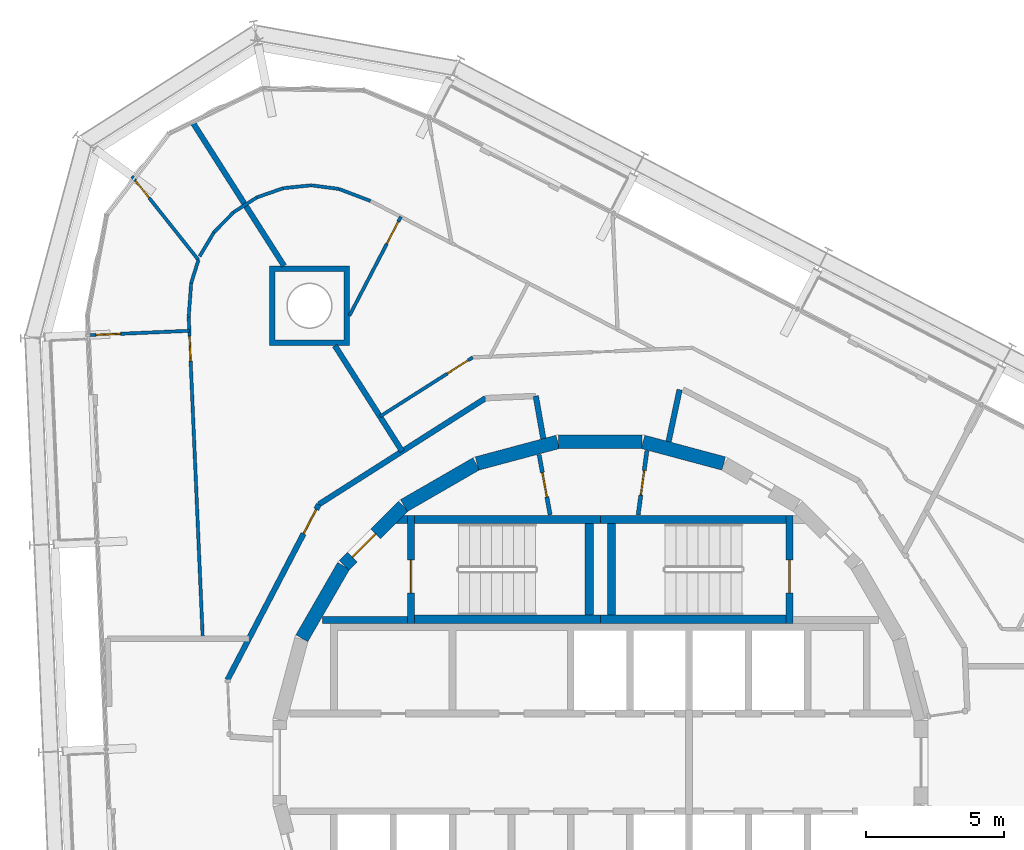
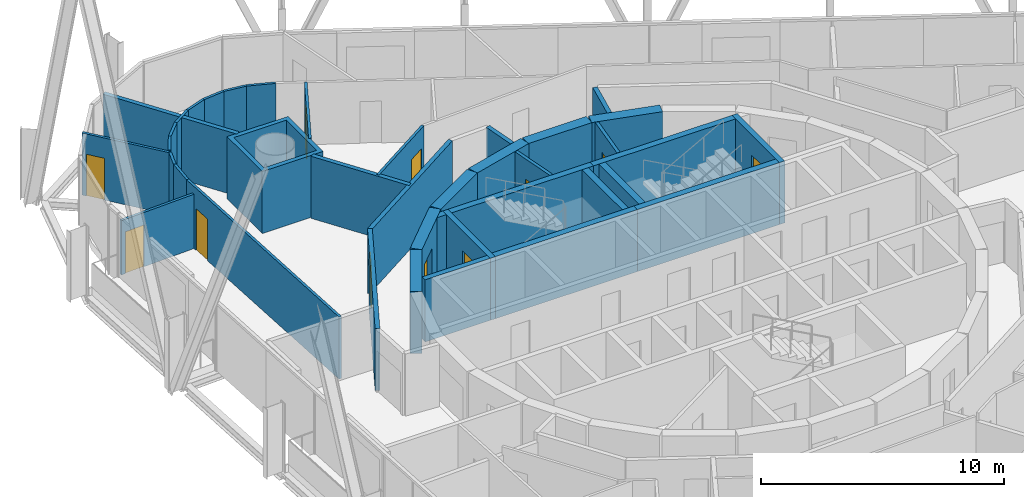
# One storey, part 15 of 18: 39 walls, 11 doors, 11 openings.
"""IFC4 building model written with IfcOpenShell, lengths in metres."""

from ifc_helpers import new_model, si_unit, direction, frame, frame_2d, origin, place, context, subcontext, project, spatial, polyline, rectangle, outline, extrude, material, layer, layer_set, type_object, element, fill, save


model = new_model("IFC4")

# Units and contexts
model_context = context("Model", 3, precision=1e-05, world=origin(), true_north=direction((0.0, 1.0)))
body_context = subcontext(model_context, "Body", "Model", "MODEL_VIEW")
ifc_project = project(units=[si_unit("LENGTHUNIT", "METRE"), si_unit("AREAUNIT", "SQUARE_METRE"), si_unit("VOLUMEUNIT", "CUBIC_METRE"), si_unit("PLANEANGLEUNIT", "RADIAN"), si_unit("MASSUNIT", "GRAM", prefix="KILO")], contexts=[model_context])

# Site, building, storey
site_placement = place(None, origin())
site = spatial("IfcSite", under=ifc_project, at=site_placement, CompositionType="ELEMENT")
building_placement = place(site_placement, origin())
building = spatial("IfcBuilding", under=site, at=building_placement, Name="Spindle Arch Residences", CompositionType="ELEMENT")
storey_placement = place(building_placement, frame((0.0, 0.0, 240.699951171875)))
storey = spatial("IfcBuildingStorey", under=building, at=storey_placement, Name="L61", CompositionType="ELEMENT", Elevation=240.699951171875)

# Walls
ifc_material_1 = material(Name="Concrete C50/60", Category="concrete")
ifc_layer_1 = layer(ifc_material_1, 0.5)
ifc_layer_set_1 = layer_set([ifc_layer_1], Name="Core outline wall 500")
wall_type_1 = type_object("IfcWallType", Name="Core outline wall 500", PredefinedType="SHEAR", material=ifc_layer_set_1)
for number, where, z_axis, x_axis, name in (
    (1, (4.479248046875, 10.858154296875, 0.0), (0.0, 0.0, 1.0), (-0.965948410781, 0.258734743916, 0.0), "Core outline wall 11"),
    (2, (1.516357421875, 11.647216796875, 0.0), (0.0, 0.0, 1.0), (-1.0, 0.0, 0.0), "Core outline wall 12"),
    (3, (-1.5498046875, 11.642822265625, 0.0), (0.0, 0.0, 1.0), (-0.965948410781, -0.258734743916, 0.0), "Core outline wall 13"),
    (4, (-4.510498046875, 10.84521484375, 0.0), (0.0, 0.0, 1.0), (-0.865975092491, -0.500087131594, 0.0), "Core outline wall 14"),
):
    element("IfcWall", number, at=place(storey_placement, frame(where, z_axis=z_axis, x_axis=x_axis)), inside=storey, type_object=wall_type_1, Name=name, PredefinedType="SHEAR", context=body_context, shape_type="SweptSolid", body=[
        extrude(rectangle(XDim=3.03271484375, YDim=0.5, at=frame_2d((1.516357421875, 0.0))), origin(), (0.0, 0.0, 1.0), 3.1201171875),
    ])

# Wall, opening, door
wall_1_placement = place(storey_placement, frame((-7.163818359375, 9.30810546875, 0.0), z_axis=(0.0, 0.0, 1.0), x_axis=(-0.707106781187, -0.707106781187, 0.0)))
wall_1 = element("IfcWall", 5, at=wall_1_placement, inside=storey, type_object=wall_type_1, Name="Core outline wall 15", PredefinedType="SHEAR", context=body_context, shape_type="SweptSolid", body=[
    extrude(rectangle(XDim=3.032470703125, YDim=0.5, at=frame_2d((1.51611328125, 0.0))), origin(), (0.0, 0.0, 1.0), 3.1201171875),
])
opening_1_placement = place(wall_1_placement, frame((1.416259765625, 0.0, 0.0)))
opening_1 = element("IfcOpeningElement", 6, at=opening_1_placement, cuts=wall_1, Name="Opening R6B0-AD02", PredefinedType="OPENING", context=body_context, shape_type="SweptSolid", body=[
    extrude(rectangle(XDim=1.199951171875, YDim=2.10009765625, at=frame_2d((0.60009765625, 1.050048828125))), frame((0.0, 0.260009765625, 0.0), z_axis=(0.0, -1.0, 0.0), x_axis=(1.0, 0.0, 0.0)), (0.0, 0.0, 1.0), 0.52001953125),
])
ifc_material_2 = material(Name="Steel, fire-resisting door", Category="steel")
door_type_1 = type_object("IfcDoorType", Name="Stair airlock door 1200x2100", OperationType="SINGLE_SWING_LEFT", PredefinedType="DOOR", material=ifc_material_2)
door_1_placement = place(opening_1_placement, origin())
door_1 = element("IfcDoor", 7, at=door_1_placement, inside=storey, type_object=door_type_1, Name="Stair airlock door R6B0-AD02", OperationType="SINGLE_SWING_RIGHT", OverallHeight=2.10009765625, OverallWidth=1.199951171875, PredefinedType="DOOR", context=body_context, shape_type="SweptSolid", body=[
    extrude(rectangle(XDim=1.199951171875, YDim=2.10009765625, at=frame_2d((0.60009765625, 1.050048828125))), frame((0.0, 0.02490234375, 0.0), z_axis=(0.0, -1.0, 0.0), x_axis=(1.0, 0.0, 0.0)), (0.0, 0.0, 1.0), 0.050048828125),
])
fill(opening_1, door_1)

# Walls
wall_2_placement = place(storey_placement, frame((-9.32861328125, 7.13671875, 0.0), z_axis=(0.0, 0.0, 1.0), x_axis=(-0.500087131594, -0.865975092491, 0.0)))
element("IfcWall", 8, at=wall_2_placement, inside=storey, type_object=wall_type_1, Name="Core outline wall 16", PredefinedType="SHEAR", context=body_context, shape_type="SweptSolid", body=[
    extrude(rectangle(XDim=3.03271484375, YDim=0.5, at=frame_2d((1.516357421875, 0.0))), origin(), (0.0, 0.0, 1.0), 3.1201171875),
])
ifc_material_3 = material(Name="Calcium silicate block, plastered")
ifc_layer_2 = layer(ifc_material_3, 0.199951171875)
ifc_layer_set_2 = layer_set([ifc_layer_2], Name="Corridor wall 200")
wall_type_2 = type_object("IfcWallType", Name="Corridor wall 200", PredefinedType="STANDARD", material=ifc_layer_set_2)
wall_3_placement = place(storey_placement, frame((2.877685546875, 13.538330078125, 0.0), z_axis=(0.0, 0.0, 1.0), x_axis=(-0.207893604596, -0.978151444904, 0.0)))
element("IfcWall", 9, at=wall_3_placement, inside=storey, type_object=wall_type_2, Name="Corridor wall R6B0-W006", PredefinedType="STANDARD", context=body_context, shape_type="SweptSolid", body=[
    extrude(rectangle(XDim=1.927001953125, YDim=0.199951171875, at=frame_2d((0.96337890625, 0.0))), origin(), (0.0, 0.0, 1.0), 3.1201171875),
])
wall_4_placement = place(storey_placement, frame((-2.07373046875, 11.76123046875, 0.0), z_axis=(0.0, 0.0, 1.0), x_axis=(-0.173679082312, 0.984802303189, 0.0)))
element("IfcWall", 10, at=wall_4_placement, inside=storey, type_object=wall_type_2, Name="Corridor wall R6B0-W010", PredefinedType="STANDARD", context=body_context, shape_type="SweptSolid", body=[
    extrude(rectangle(XDim=1.572998046875, YDim=0.199951171875, at=frame_2d((0.78662109375, 0.0))), origin(), (0.0, 0.0, 1.0), 3.1201171875),
])
wall_5_placement = place(storey_placement, frame((-4.171630859375, 13.230712890625, 0.0), z_axis=(0.0, 0.0, 1.0), x_axis=(-0.843388394728, -0.537304397561, 0.0)))
element("IfcWall", 11, at=wall_5_placement, inside=storey, type_object=wall_type_2, Name="Corridor wall R6B0-W012", PredefinedType="STANDARD", context=body_context, shape_type="SweptSolid", body=[
    extrude(rectangle(XDim=7.180908203125, YDim=0.199951171875, at=frame_2d((3.59033203125, 0.0))), origin(), (0.0, 0.0, 1.0), 3.1201171875),
])

# Wall, opening, door
ifc_material_4 = material(Name="Plasterboard on steel studs", Category="steel")
ifc_layer_3 = layer(ifc_material_4, 0.1201171875)
ifc_layer_set_3 = layer_set([ifc_layer_3], Name="Flat partition 120")
wall_type_3 = type_object("IfcWallType", Name="Flat partition 120", PredefinedType="PARTITIONING", material=ifc_layer_set_3)
wall_6_placement = place(storey_placement, frame((-4.638671875, 14.711669921875, 0.0), z_axis=(0.0, 0.0, 1.0), x_axis=(-0.843376843237, -0.537322529113, 0.0)))
wall_6 = element("IfcWall", 12, at=wall_6_placement, inside=storey, type_object=wall_type_3, Name="Flat partition R6B0-W054", PredefinedType="PARTITIONING", context=body_context, shape_type="SweptSolid", body=[
    extrude(rectangle(XDim=3.992431640625, YDim=0.1201171875, at=frame_2d((1.99609375, 0.0))), origin(), (0.0, 0.0, 1.0), 3.1201171875),
])
opening_2_placement = place(wall_6_placement, frame((0.199951171875, 0.0, 0.0)))
opening_2 = element("IfcOpeningElement", 13, at=opening_2_placement, cuts=wall_6, Name="Opening R6B0-ID07", PredefinedType="OPENING", context=body_context, shape_type="SweptSolid", body=[
    extrude(rectangle(XDim=0.89990234375, YDim=2.10009765625, at=frame_2d((0.449951171875, 1.050048828125))), frame((0.0, 0.070068359375, 0.0), z_axis=(0.0, -1.0, 0.0), x_axis=(1.0, 0.0, 0.0)), (0.0, 0.0, 1.0), 0.14013671875),
])
ifc_material_5 = material(Name="Timber door set", Category="wood")
door_type_2 = type_object("IfcDoorType", Name="Room door 900x2100", OperationType="NOTDEFINED", PredefinedType="DOOR", material=ifc_material_5)
door_2_placement = place(opening_2_placement, origin())
door_2 = element("IfcDoor", 14, at=door_2_placement, inside=storey, type_object=door_type_2, Name="Room door R6B0-ID07", OperationType="SINGLE_SWING_RIGHT", OverallHeight=2.10009765625, OverallWidth=0.89990234375, PredefinedType="DOOR", context=body_context, shape_type="SweptSolid", body=[
    extrude(rectangle(XDim=0.89990234375, YDim=2.10009765625, at=frame_2d((0.449951171875, 1.050048828125))), frame((0.0, 0.02490234375, 0.0), z_axis=(0.0, -1.0, 0.0), x_axis=(1.0, 0.0, 0.0)), (0.0, 0.0, 1.0), 0.050048828125),
])
fill(opening_2, door_2)

wall_7_placement = place(storey_placement, frame((-7.246826171875, 19.820068359375, 0.0), z_axis=(0.0, 0.0, 1.0), x_axis=(-0.461733980956, -0.887018450107, 0.0)))
wall_7 = element("IfcWall", 15, at=wall_7_placement, inside=storey, type_object=wall_type_3, Name="Flat partition R6B0-W059", PredefinedType="PARTITIONING", context=body_context, shape_type="SweptSolid", body=[
    extrude(rectangle(XDim=4.05224609375, YDim=0.1201171875, at=frame_2d((2.026123046875, 0.0))), origin(), (0.0, 0.0, 1.0), 3.1201171875),
])
opening_3_placement = place(wall_7_placement, frame((0.199951171875, 0.0, 0.0)))
opening_3 = element("IfcOpeningElement", 16, at=opening_3_placement, cuts=wall_7, Name="Opening R6B0-ID09", PredefinedType="OPENING", context=body_context, shape_type="SweptSolid", body=[
    extrude(rectangle(XDim=0.89990234375, YDim=2.10009765625, at=frame_2d((0.449951171875, 1.050048828125))), frame((0.0, 0.070068359375, 0.0), z_axis=(0.0, -1.0, 0.0), x_axis=(1.0, 0.0, 0.0)), (0.0, 0.0, 1.0), 0.14013671875),
])
door_3_placement = place(opening_3_placement, origin())
door_3 = element("IfcDoor", 17, at=door_3_placement, inside=storey, type_object=door_type_2, Name="Room door R6B0-ID09", OperationType="SINGLE_SWING_RIGHT", OverallHeight=2.10009765625, OverallWidth=0.89990234375, PredefinedType="DOOR", context=body_context, shape_type="SweptSolid", body=[
    extrude(rectangle(XDim=0.89990234375, YDim=2.10009765625, at=frame_2d((0.449951171875, 1.050048828125))), frame((0.0, 0.02490234375, 0.0), z_axis=(0.0, -1.0, 0.0), x_axis=(1.0, 0.0, 0.0)), (0.0, 0.0, 1.0), 0.050048828125),
])
fill(opening_3, door_3)

# Walls
for number, where, z_axis, x_axis, name in (
    (18, (-13.33154296875, 19.980712890625, 0.0), (0.0, 0.0, 1.0), (0.843404143432, 0.537279676557, 0.0), "Flat partition R6B0-W060"),
    (19, (-12.474609375, 20.526611328125, 0.0), (0.0, 0.0, 1.0), (0.944594007355, 0.32824101095, 0.0), "Flat partition R6B0-W061"),
):
    element("IfcWall", number, at=place(storey_placement, frame(where, z_axis=z_axis, x_axis=x_axis)), inside=storey, type_object=wall_type_3, Name=name, PredefinedType="PARTITIONING", context=body_context, shape_type="SweptSolid", body=[
        extrude(rectangle(XDim=1.01611328125, YDim=0.1201171875, at=frame_2d((0.508056640625, 0.0))), origin(), (0.0, 0.0, 1.0), 3.1201171875),
    ])
wall_8_placement = place(storey_placement, frame((-11.514892578125, 20.860107421875, 0.0), z_axis=(0.0, 0.0, 1.0), x_axis=(0.994818278641, 0.101669034034, 0.0)))
element("IfcWall", 20, at=wall_8_placement, inside=storey, type_object=wall_type_3, Name="Flat partition R6B0-W062", PredefinedType="PARTITIONING", context=body_context, shape_type="SweptSolid", body=[
    extrude(rectangle(XDim=1.015869140625, YDim=0.1201171875, at=frame_2d((0.5078125, 0.0))), origin(), (0.0, 0.0, 1.0), 3.1201171875),
])
wall_9_placement = place(storey_placement, frame((-10.50439453125, 20.96337890625, 0.0), z_axis=(0.0, 0.0, 1.0), x_axis=(0.991451023706, -0.13047937612, 0.0)))
element("IfcWall", 21, at=wall_9_placement, inside=storey, type_object=wall_type_3, Name="Flat partition R6B0-W063", PredefinedType="PARTITIONING", context=body_context, shape_type="SweptSolid", body=[
    extrude(rectangle(XDim=1.01611328125, YDim=0.1201171875, at=frame_2d((0.508056640625, 0.0))), origin(), (0.0, 0.0, 1.0), 3.1201171875),
])
wall_10_placement = place(storey_placement, frame((-9.4970703125, 20.830810546875, 0.0), z_axis=(0.0, 0.0, 1.0), x_axis=(0.934575963521, -0.355763641213, 0.0)))
element("IfcWall", 22, at=wall_10_placement, inside=storey, type_object=wall_type_3, Name="Flat partition R6B0-W064", PredefinedType="PARTITIONING", context=body_context, shape_type="SweptSolid", body=[
    extrude(rectangle(XDim=1.22705078125, YDim=0.1201171875, at=frame_2d((0.613525390625, 0.0))), origin(), (0.0, 0.0, 1.0), 3.1201171875),
])
for number, where, z_axis, x_axis, name in (
    (23, (-13.33154296875, 19.980712890625, 0.0), (0.0, 0.0, 1.0), (-0.69669736192, -0.717365169138, 0.0), "Flat partition R6B0-W065"),
    (24, (-14.039306640625, 19.251953125, 0.0), (0.0, 0.0, 1.0), (-0.512586118981, -0.858635819558, 0.0), "Flat partition R6B0-W066"),
):
    element("IfcWall", number, at=place(storey_placement, frame(where, z_axis=z_axis, x_axis=x_axis)), inside=storey, type_object=wall_type_3, Name=name, PredefinedType="PARTITIONING", context=body_context, shape_type="SweptSolid", body=[
        extrude(rectangle(XDim=1.015869140625, YDim=0.1201171875, at=frame_2d((0.5078125, 0.0))), origin(), (0.0, 0.0, 1.0), 3.1201171875),
    ])
wall_11_placement = place(storey_placement, frame((-14.600830078125, 18.250244140625, 0.0), z_axis=(0.0, 0.0, 1.0), x_axis=(-0.300706496876, -0.953716730867, 0.0)))
element("IfcWall", 25, at=wall_11_placement, inside=storey, type_object=wall_type_3, Name="Flat partition R6B0-W067", PredefinedType="PARTITIONING", context=body_context, shape_type="SweptSolid", body=[
    extrude(rectangle(XDim=0.880126953125, YDim=0.1201171875, at=frame_2d((0.43994140625, 0.0))), origin(), (0.0, 0.0, 1.0), 3.1201171875),
])
wall_12_placement = place(storey_placement, frame((-14.865478515625, 17.410888671875, 0.0), z_axis=(0.0, 0.0, 1.0), x_axis=(-0.072618457011, -0.997359794508, 0.0)))
element("IfcWall", 26, at=wall_12_placement, inside=storey, type_object=wall_type_3, Name="Flat partition R6B0-W068", PredefinedType="PARTITIONING", context=body_context, shape_type="SweptSolid", body=[
    extrude(rectangle(XDim=1.22705078125, YDim=0.1201171875, at=frame_2d((0.613525390625, 0.0))), origin(), (0.0, 0.0, 1.0), 3.1201171875),
])

# Wall, opening, door
wall_13_placement = place(storey_placement, frame((-14.95458984375, 16.18701171875, 0.0), z_axis=(0.0, 0.0, 1.0), x_axis=(0.04360777668, -0.999048728448, 0.0)))
wall_13 = element("IfcWall", 27, at=wall_13_placement, inside=storey, type_object=wall_type_3, Name="Flat partition R6B0-W069", PredefinedType="PARTITIONING", context=body_context, shape_type="SweptSolid", body=[
    extrude(rectangle(XDim=11.6787109375, YDim=0.1201171875, at=frame_2d((5.83935546875, 0.0))), origin(), (0.0, 0.0, 1.0), 3.1201171875),
])
opening_4_placement = place(wall_13_placement, frame((0.708740234375, 0.0, 0.0)))
opening_4 = element("IfcOpeningElement", 28, at=opening_4_placement, cuts=wall_13, Name="Opening R6B0-ID11", PredefinedType="OPENING", context=body_context, shape_type="SweptSolid", body=[
    extrude(rectangle(XDim=0.89990234375, YDim=2.10009765625, at=frame_2d((0.449951171875, 1.050048828125))), frame((0.0, 0.070068359375, 0.0), z_axis=(0.0, -1.0, 0.0), x_axis=(1.0, 0.0, 0.0)), (0.0, 0.0, 1.0), 0.14013671875),
])
door_4_placement = place(opening_4_placement, origin())
door_4 = element("IfcDoor", 29, at=door_4_placement, inside=storey, type_object=door_type_2, Name="Room door R6B0-ID11", OperationType="SINGLE_SWING_LEFT", OverallHeight=2.10009765625, OverallWidth=0.89990234375, PredefinedType="DOOR", context=body_context, shape_type="SweptSolid", body=[
    extrude(rectangle(XDim=0.89990234375, YDim=2.10009765625, at=frame_2d((0.449951171875, 1.050048828125))), frame((0.0, 0.02490234375, 0.0), z_axis=(0.0, -1.0, 0.0), x_axis=(1.0, 0.0, 0.0)), (0.0, 0.0, 1.0), 0.050048828125),
])
fill(opening_4, door_4)

wall_14_placement = place(storey_placement, frame((-17.015380859375, 21.2900390625, 0.0), z_axis=(0.0, 0.0, 1.0), x_axis=(0.621976289729, -0.783036075168, 0.0)))
wall_14 = element("IfcWall", 30, at=wall_14_placement, inside=storey, type_object=wall_type_3, Name="Flat partition R6B0-W070", PredefinedType="PARTITIONING", context=body_context, shape_type="SweptSolid", body=[
    extrude(rectangle(XDim=3.882080078125, YDim=0.1201171875, at=frame_2d((1.94091796875, 0.0))), origin(), (0.0, 0.0, 1.0), 3.1201171875),
])
opening_5_placement = place(wall_14_placement, frame((0.199951171875, 0.0, 0.0)))
opening_5 = element("IfcOpeningElement", 31, at=opening_5_placement, cuts=wall_14, Name="Opening R6B0-BD03", PredefinedType="OPENING", context=body_context, shape_type="SweptSolid", body=[
    extrude(rectangle(XDim=0.800048828125, YDim=2.10009765625, at=frame_2d((0.39990234375, 1.050048828125))), frame((0.0, 0.070068359375, 0.0), z_axis=(0.0, -1.0, 0.0), x_axis=(1.0, 0.0, 0.0)), (0.0, 0.0, 1.0), 0.14013671875),
])
ifc_material_6 = material(Name="Timber door set", Category="wood")
door_type_3 = type_object("IfcDoorType", Name="Bathroom door 800x2100", OperationType="NOTDEFINED", PredefinedType="DOOR", material=ifc_material_6)
door_5_placement = place(opening_5_placement, origin())
door_5 = element("IfcDoor", 32, at=door_5_placement, inside=storey, type_object=door_type_3, Name="Bathroom door R6B0-BD03", OperationType="SINGLE_SWING_LEFT", OverallHeight=2.10009765625, OverallWidth=0.800048828125, PredefinedType="DOOR", context=body_context, shape_type="SweptSolid", body=[
    extrude(rectangle(XDim=0.800048828125, YDim=2.10009765625, at=frame_2d((0.39990234375, 1.050048828125))), frame((0.0, 0.02490234375, 0.0), z_axis=(0.0, -1.0, 0.0), x_axis=(1.0, 0.0, 0.0)), (0.0, 0.0, 1.0), 0.050048828125),
])
fill(opening_5, door_5)

ifc_material_7 = material(Name="Plasterboard on steel studs", Category="steel")
ifc_layer_4 = layer(ifc_material_7, 0.1201171875)
ifc_layer_set_4 = layer_set([ifc_layer_4], Name="Flat partition 120 under beam 2730")
wall_type_4 = type_object("IfcWallType", Name="Flat partition 120 under beam 2730", PredefinedType="PARTITIONING", material=ifc_layer_set_4)
wall_15_placement = place(storey_placement, frame((-18.529052734375, 15.521728515625, 0.0), z_axis=(0.0, 0.0, 1.0), x_axis=(0.999048722018, 0.043607923987, 0.0)))
wall_15 = element("IfcWall", 33, at=wall_15_placement, inside=storey, type_object=wall_type_4, Name="Flat partition R6B0-W071", PredefinedType="PARTITIONING", context=body_context, shape_type="SweptSolid", body=[
    extrude(rectangle(XDim=3.599853515625, YDim=0.1201171875, at=frame_2d((1.7998046875, 0.0))), origin(), (0.0, 0.0, 1.0), 2.72998046875),
])
opening_6_placement = place(wall_15_placement, frame((0.199951171875, 0.0, 0.0)))
opening_6 = element("IfcOpeningElement", 34, at=opening_6_placement, cuts=wall_15, Name="Opening R6B0-ID12", PredefinedType="OPENING", context=body_context, shape_type="SweptSolid", body=[
    extrude(rectangle(XDim=0.89990234375, YDim=2.10009765625, at=frame_2d((0.449951171875, 1.050048828125))), frame((0.0, 0.070068359375, 0.0), z_axis=(0.0, -1.0, 0.0), x_axis=(1.0, 0.0, 0.0)), (0.0, 0.0, 1.0), 0.14013671875),
])
door_6_placement = place(opening_6_placement, origin())
door_6 = element("IfcDoor", 35, at=door_6_placement, inside=storey, type_object=door_type_2, Name="Room door R6B0-ID12", OperationType="SINGLE_SWING_LEFT", OverallHeight=2.10009765625, OverallWidth=0.89990234375, PredefinedType="DOOR", context=body_context, shape_type="SweptSolid", body=[
    extrude(rectangle(XDim=0.89990234375, YDim=2.10009765625, at=frame_2d((0.449951171875, 1.050048828125))), frame((0.0, 0.02490234375, 0.0), z_axis=(0.0, -1.0, 0.0), x_axis=(1.0, 0.0, 0.0)), (0.0, 0.0, 1.0), 0.050048828125),
])
fill(opening_6, door_6)

# Walls
ifc_material_8 = material(Name="Calcium silicate block, plastered")
ifc_layer_5 = layer(ifc_material_8, 0.199951171875)
ifc_layer_set_5 = layer_set([ifc_layer_5], Name="Flat party wall 200")
wall_type_5 = type_object("IfcWallType", Name="Flat party wall 200", PredefinedType="STANDARD", material=ifc_layer_set_5)
wall_16_placement = place(storey_placement, frame((-9.64501953125, 15.137939453125, 0.0), z_axis=(0.0, 0.0, 1.0), x_axis=(0.537267800866, -0.84341170857, 0.0)))
element("IfcWall", 36, at=wall_16_placement, inside=storey, type_object=wall_type_5, Name="Flat party wall R6B0-W032", PredefinedType="STANDARD", context=body_context, shape_type="SweptSolid", body=[
    extrude(rectangle(XDim=4.549560546875, YDim=0.199951171875, at=frame_2d((2.27490234375, 0.0))), origin(), (0.0, 0.0, 1.0), 3.1201171875),
])
wall_17_placement = place(storey_placement, frame((-14.83740234375, 23.289794921875, 0.0), z_axis=(0.0, 0.0, 1.0), x_axis=(0.537316863221, -0.843380452998, 0.0)))
element("IfcWall", 37, at=wall_17_placement, inside=storey, type_object=wall_type_5, Name="Flat party wall R6B0-W033", PredefinedType="STANDARD", context=body_context, shape_type="SweptSolid", body=[
    extrude(rectangle(XDim=6.226806640625, YDim=0.199951171875, at=frame_2d((3.11328125, 0.0))), origin(), (0.0, 0.0, 1.0), 3.1201171875),
])

# Wall, opening, door
ifc_material_9 = material(Name="Calcium silicate block, plastered")
ifc_layer_6 = layer(ifc_material_9, 0.199951171875)
ifc_layer_set_6 = layer_set([ifc_layer_6], Name="Lift lobby bay wall 200")
wall_type_6 = type_object("IfcWallType", Name="Lift lobby bay wall 200", PredefinedType="STANDARD", material=ifc_layer_set_6)
wall_18_placement = place(storey_placement, frame((-10.22802734375, 9.372314453125, 0.0), z_axis=(0.0, 0.0, 1.0), x_axis=(-0.461759464021, -0.887005184532, 0.0)))
wall_18 = element("IfcWall", 38, at=wall_18_placement, inside=storey, type_object=wall_type_6, Name="Lift lobby bay wall R6B0-W007", PredefinedType="STANDARD", context=body_context, shape_type="SweptSolid", body=[
    extrude(rectangle(XDim=7.18115234375, YDim=0.199951171875, at=frame_2d((3.590576171875, 0.0))), origin(), (0.0, 0.0, 1.0), 3.1201171875),
])
opening_7_placement = place(wall_18_placement, frame((0.199951171875, 0.0, 0.0)))
opening_7 = element("IfcOpeningElement", 39, at=opening_7_placement, cuts=wall_18, Name="Opening R6B0-FD03", PredefinedType="OPENING", context=body_context, shape_type="SweptSolid", body=[
    extrude(rectangle(XDim=1.0, YDim=2.10009765625, at=frame_2d((0.5, 1.050048828125))), frame((0.0, 0.10986328125, 0.0), z_axis=(0.0, -1.0, 0.0), x_axis=(1.0, 0.0, 0.0)), (0.0, 0.0, 1.0), 0.219970703125),
])
ifc_material_10 = material(Name="Timber, fire-resisting door set", Category="wood")
door_type_4 = type_object("IfcDoorType", Name="Flat entrance door 1000x2100", OperationType="NOTDEFINED", PredefinedType="DOOR", material=ifc_material_10)
door_7_placement = place(opening_7_placement, origin())
door_7 = element("IfcDoor", 40, at=door_7_placement, inside=storey, type_object=door_type_4, Name="Flat entrance door R6B0-FD03", OperationType="SINGLE_SWING_LEFT", OverallHeight=2.10009765625, OverallWidth=1.0, PredefinedType="DOOR", context=body_context, shape_type="SweptSolid", body=[
    extrude(rectangle(XDim=1.0, YDim=2.10009765625, at=frame_2d((0.5, 1.050048828125))), frame((0.0, 0.02490234375, 0.0), z_axis=(0.0, -1.0, 0.0), x_axis=(1.0, 0.0, 0.0)), (0.0, 0.0, 1.0), 0.050048828125),
])
fill(opening_7, door_7)

# Wall
ifc_material_11 = material(Name="Calcium silicate block, plastered")
ifc_layer_7 = layer(ifc_material_11, 0.199951171875)
ifc_layer_set_7 = layer_set([ifc_layer_7], Name="Mega-column casing wall 200")
wall_type_7 = type_object("IfcWallType", Name="Mega-column casing wall 200", PredefinedType="STANDARD", material=ifc_layer_set_7)
wall_19_placement = place(storey_placement, origin())
element("IfcWall", 41, at=wall_19_placement, inside=storey, type_object=wall_type_7, Name="Mega-column casing wall R6B0-WC02", PredefinedType="STANDARD", context=body_context, shape_type="SweptSolid", body=[
    extrude(outline(polyline([(-9.117919921875, 18.038330078125), (-9.117919921875, 15.138427734375), (-12.01806640625, 15.138427734375), (-12.01806640625, 18.038330078125), (-9.117919921875, 18.038330078125)]), holes=[polyline([(-11.818115234375, 15.33837890625), (-9.318115234375, 15.33837890625), (-9.318115234375, 17.83837890625), (-11.818115234375, 17.83837890625), (-11.818115234375, 15.33837890625)])]), origin(), (0.0, 0.0, 1.0), 3.1201171875),
])

# Wall, opening, door
ifc_material_12 = material(Name="Concrete C25/30", Category="concrete")
ifc_layer_8 = layer(ifc_material_12, 0.14990234375)
ifc_layer_set_8 = layer_set([ifc_layer_8], Name="Service room partition 150")
wall_type_8 = type_object("IfcWallType", Name="Service room partition 150", PredefinedType="PARTITIONING", material=ifc_layer_set_8)
wall_20_placement = place(storey_placement, frame((1.69091796875, 11.32568359375, 0.0), z_axis=(0.0, 0.0, 1.0), x_axis=(-0.135344253201, -0.990798633994, 0.0)))
wall_20 = element("IfcWall", 42, at=wall_20_placement, inside=storey, type_object=wall_type_8, Name="Core service room partition", PredefinedType="PARTITIONING", context=body_context, shape_type="SweptSolid", body=[
    extrude(rectangle(XDim=2.357666015625, YDim=0.14990234375, at=frame_2d((1.1787109375, 0.0))), origin(), (0.0, 0.0, 1.0), 3.1201171875),
])
opening_8_placement = place(wall_20_placement, frame((0.728759765625, 0.0, 0.0)))
opening_8 = element("IfcOpeningElement", 43, at=opening_8_placement, cuts=wall_20, Name="Opening R6B0-WD08", PredefinedType="OPENING", context=body_context, shape_type="SweptSolid", body=[
    extrude(rectangle(XDim=0.89990234375, YDim=2.10009765625, at=frame_2d((0.449951171875, 1.050048828125))), frame((0.0, 0.0849609375, 0.0), z_axis=(0.0, -1.0, 0.0), x_axis=(1.0, 0.0, 0.0)), (0.0, 0.0, 1.0), 0.169921875),
])
ifc_material_13 = material(Name="Steel, fire-resisting door", Category="steel")
door_type_5 = type_object("IfcDoorType", Name="Service room door 900x2100", OperationType="SINGLE_SWING_LEFT", PredefinedType="DOOR", material=ifc_material_13)
door_8_placement = place(opening_8_placement, origin())
door_8 = element("IfcDoor", 44, at=door_8_placement, inside=storey, type_object=door_type_5, Name="Service room door R6B0-WD08", OperationType="SINGLE_SWING_RIGHT", OverallHeight=2.10009765625, OverallWidth=0.89990234375, PredefinedType="DOOR", context=body_context, shape_type="SweptSolid", body=[
    extrude(rectangle(XDim=0.89990234375, YDim=2.10009765625, at=frame_2d((0.449951171875, 1.050048828125))), frame((0.0, 0.02490234375, 0.0), z_axis=(0.0, -1.0, 0.0), x_axis=(1.0, 0.0, 0.0)), (0.0, 0.0, 1.0), 0.050048828125),
])
fill(opening_8, door_8)

wall_21_placement = place(storey_placement, frame((-1.824951171875, 8.98974609375, 0.0), z_axis=(0.0, 0.0, 1.0), x_axis=(-0.179955206115, 0.983674805915, 0.0)))
wall_21 = element("IfcWall", 45, at=wall_21_placement, inside=storey, type_object=wall_type_8, Name="Core service room partition", PredefinedType="PARTITIONING", context=body_context, shape_type="SweptSolid", body=[
    extrude(rectangle(XDim=2.22900390625, YDim=0.14990234375, at=frame_2d((1.114501953125, 0.0))), origin(), (0.0, 0.0, 1.0), 3.1201171875),
])
opening_9_placement = place(wall_21_placement, frame((0.66455078125, 0.0, 0.0)))
opening_9 = element("IfcOpeningElement", 46, at=opening_9_placement, cuts=wall_21, Name="Opening R6B0-WD09", PredefinedType="OPENING", context=body_context, shape_type="SweptSolid", body=[
    extrude(rectangle(XDim=0.89990234375, YDim=2.10009765625, at=frame_2d((0.449951171875, 1.050048828125))), frame((0.0, 0.0849609375, 0.0), z_axis=(0.0, -1.0, 0.0), x_axis=(1.0, 0.0, 0.0)), (0.0, 0.0, 1.0), 0.169921875),
])
door_9_placement = place(opening_9_placement, origin())
door_9 = element("IfcDoor", 47, at=door_9_placement, inside=storey, type_object=door_type_5, Name="Service room door R6B0-WD09", OperationType="SINGLE_SWING_LEFT", OverallHeight=2.10009765625, OverallWidth=0.89990234375, PredefinedType="DOOR", context=body_context, shape_type="SweptSolid", body=[
    extrude(rectangle(XDim=0.89990234375, YDim=2.10009765625, at=frame_2d((0.449951171875, 1.050048828125))), frame((0.0, 0.02490234375, 0.0), z_axis=(0.0, -1.0, 0.0), x_axis=(1.0, 0.0, 0.0)), (0.0, 0.0, 1.0), 0.050048828125),
])
fill(opening_9, door_9)

# Walls
ifc_material_14 = material(Name="Concrete C40/50", Category="concrete")
ifc_layer_9 = layer(ifc_material_14, 0.25)
ifc_layer_set_9 = layer_set([ifc_layer_9], Name="Stair airlock wall 250")
wall_type_9 = type_object("IfcWallType", Name="Stair airlock wall 250", PredefinedType="SHEAR", material=ifc_layer_set_9)
wall_22_placement = place(storey_placement, frame((-7.0, 5.175048828125, 0.0), z_axis=(0.0, 0.0, 1.0), x_axis=(-1.0, 0.0, 0.0)))
element("IfcWall", 48, at=wall_22_placement, inside=storey, type_object=wall_type_9, Name="Stair ST-2 airlock wall S", PredefinedType="SHEAR", context=body_context, shape_type="SweptSolid", body=[
    extrude(rectangle(XDim=3.10009765625, YDim=0.25, at=frame_2d((1.550048828125, 0.0))), origin(), (0.0, 0.0, 1.0), 3.1201171875),
])
ifc_material_15 = material(Name="Concrete C40/50", Category="concrete")
wall_type_10 = type_object("IfcWallType", Name="Stair airlock wall profile", PredefinedType="SHEAR", material=ifc_material_15)
wall_23_placement = place(storey_placement, origin())
element("IfcWall", 49, at=wall_23_placement, inside=storey, type_object=wall_type_10, Name="Stair ST-2 airlock wall N", PredefinedType="SHEAR", context=body_context, shape_type="SweptSolid", body=[
    extrude(outline(polyline([(-7.148193359375, 8.969970703125), (-7.0, 8.969970703125), (-7.0, 8.669921875), (-7.4482421875, 8.669921875), (-7.148193359375, 8.969970703125)])), origin(), (0.0, 0.0, 1.0), 3.1201171875),
])

# Wall, opening, door
ifc_material_16 = material(Name="Concrete C50/60", Category="concrete")
ifc_layer_10 = layer(ifc_material_16, 0.25)
ifc_layer_set_10 = layer_set([ifc_layer_10], Name="Stair enclosure wall 250")
wall_type_11 = type_object("IfcWallType", Name="Stair enclosure wall 250", PredefinedType="SHEAR", material=ifc_layer_set_10)
wall_24_placement = place(storey_placement, frame((6.875, 5.050048828125, 0.0), z_axis=(0.0, 0.0, 1.0), x_axis=(0.0, 1.0, 0.0)))
wall_24 = element("IfcWall", 50, at=wall_24_placement, inside=storey, type_object=wall_type_11, Name="Stair ST-1 door wall", PredefinedType="SHEAR", context=body_context, shape_type="SweptSolid", body=[
    extrude(rectangle(XDim=3.919921875, YDim=0.25, at=frame_2d((1.9599609375, 0.0))), origin(), (0.0, 0.0, 1.0), 3.1201171875),
])
opening_10_placement = place(wall_24_placement, frame((1.110107421875, 0.0, 0.0)))
opening_10 = element("IfcOpeningElement", 51, at=opening_10_placement, cuts=wall_24, Name="Opening R6B0-SD01", PredefinedType="OPENING", context=body_context, shape_type="SweptSolid", body=[
    extrude(rectangle(XDim=1.199951171875, YDim=2.10009765625, at=frame_2d((0.60009765625, 1.050048828125))), frame((0.0, 0.135009765625, 0.0), z_axis=(0.0, -1.0, 0.0), x_axis=(1.0, 0.0, 0.0)), (0.0, 0.0, 1.0), 0.27001953125),
])
ifc_material_17 = material(Name="Steel, fire-resisting door", Category="steel")
door_type_6 = type_object("IfcDoorType", Name="Stair door 1200x2100", OperationType="SINGLE_SWING_RIGHT", PredefinedType="DOOR", material=ifc_material_17)
door_10_placement = place(opening_10_placement, origin())
door_10 = element("IfcDoor", 52, at=door_10_placement, inside=storey, type_object=door_type_6, Name="Stair door R6B0-SD01", OperationType="SINGLE_SWING_LEFT", OverallHeight=2.10009765625, OverallWidth=1.199951171875, PredefinedType="DOOR", context=body_context, shape_type="SweptSolid", body=[
    extrude(rectangle(XDim=1.199951171875, YDim=2.10009765625, at=frame_2d((0.60009765625, 1.050048828125))), frame((0.0, 0.02490234375, 0.0), z_axis=(0.0, -1.0, 0.0), x_axis=(1.0, 0.0, 0.0)), (0.0, 0.0, 1.0), 0.050048828125),
])
fill(opening_10, door_10)

wall_25_placement = place(storey_placement, frame((-6.875, 8.969970703125, 0.0), z_axis=(0.0, 0.0, 1.0), x_axis=(0.0, -1.0, 0.0)))
wall_25 = element("IfcWall", 53, at=wall_25_placement, inside=storey, type_object=wall_type_11, Name="Stair ST-2 door wall", PredefinedType="SHEAR", context=body_context, shape_type="SweptSolid", body=[
    extrude(rectangle(XDim=3.919921875, YDim=0.25, at=frame_2d((1.9599609375, 0.0))), origin(), (0.0, 0.0, 1.0), 3.1201171875),
])
opening_11_placement = place(wall_25_placement, frame((1.610107421875, 0.0, 0.0)))
opening_11 = element("IfcOpeningElement", 54, at=opening_11_placement, cuts=wall_25, Name="Opening R6B0-SD02", PredefinedType="OPENING", context=body_context, shape_type="SweptSolid", body=[
    extrude(rectangle(XDim=1.199951171875, YDim=2.10009765625, at=frame_2d((0.60009765625, 1.050048828125))), frame((0.0, 0.135009765625, 0.0), z_axis=(0.0, -1.0, 0.0), x_axis=(1.0, 0.0, 0.0)), (0.0, 0.0, 1.0), 0.27001953125),
])
door_11_placement = place(opening_11_placement, origin())
door_11 = element("IfcDoor", 55, at=door_11_placement, inside=storey, type_object=door_type_6, Name="Stair door R6B0-SD02", OperationType="SINGLE_SWING_LEFT", OverallHeight=2.10009765625, OverallWidth=1.199951171875, PredefinedType="DOOR", context=body_context, shape_type="SweptSolid", body=[
    extrude(rectangle(XDim=1.199951171875, YDim=2.10009765625, at=frame_2d((0.60009765625, 1.050048828125))), frame((0.0, 0.02490234375, 0.0), z_axis=(0.0, -1.0, 0.0), x_axis=(1.0, 0.0, 0.0)), (0.0, 0.0, 1.0), 0.050048828125),
])
fill(opening_11, door_11)

# Walls
ifc_material_18 = material(Name="Concrete C50/60", Category="concrete")
ifc_layer_11 = layer(ifc_material_18, 0.300048828125)
ifc_layer_set_11 = layer_set([ifc_layer_11], Name="Stair enclosure wall 300")
wall_type_12 = type_object("IfcWallType", Name="Stair enclosure wall 300", PredefinedType="SHEAR", material=ifc_layer_set_11)
for number, where, z_axis, x_axis, name in (
    (56, (0.0, 5.199951171875, 0.0), (0.0, 0.0, 1.0), (1.0, 0.0, 0.0), "Stair ST-1 enclosure wall S"),
    (57, (0.0, 8.820068359375, 0.0), (0.0, 0.0, 1.0), (1.0, 0.0, 0.0), "Stair ST-1 enclosure wall N"),
):
    element("IfcWall", number, at=place(storey_placement, frame(where, z_axis=z_axis, x_axis=x_axis)), inside=storey, type_object=wall_type_12, Name=name, PredefinedType="SHEAR", context=body_context, shape_type="SweptSolid", body=[
        extrude(rectangle(XDim=6.75, YDim=0.300048828125, at=frame_2d((3.375, 0.0))), origin(), (0.0, 0.0, 1.0), 3.1201171875),
    ])
wall_26_placement = place(storey_placement, frame((0.39990234375, 5.35009765625, 0.0), z_axis=(0.0, 0.0, 1.0), x_axis=(0.0, 1.0, 0.0)))
element("IfcWall", 58, at=wall_26_placement, inside=storey, type_object=wall_type_12, Name="Stair ST-1 enclosure wall F", PredefinedType="SHEAR", context=body_context, shape_type="SweptSolid", body=[
    extrude(rectangle(XDim=3.31982421875, YDim=0.300048828125, at=frame_2d((1.659912109375, 0.0))), origin(), (0.0, 0.0, 1.0), 3.1201171875),
])
for number, where, z_axis, x_axis, name in (
    (59, (-6.75, 5.199951171875, 0.0), (0.0, 0.0, 1.0), (1.0, 0.0, 0.0), "Stair ST-2 enclosure wall S"),
    (60, (-6.75, 8.820068359375, 0.0), (0.0, 0.0, 1.0), (1.0, 0.0, 0.0), "Stair ST-2 enclosure wall N"),
):
    element("IfcWall", number, at=place(storey_placement, frame(where, z_axis=z_axis, x_axis=x_axis)), inside=storey, type_object=wall_type_12, Name=name, PredefinedType="SHEAR", context=body_context, shape_type="SweptSolid", body=[
        extrude(rectangle(XDim=6.75, YDim=0.300048828125, at=frame_2d((3.375, 0.0))), origin(), (0.0, 0.0, 1.0), 3.1201171875),
    ])
wall_27_placement = place(storey_placement, frame((-0.39990234375, 5.35009765625, 0.0), z_axis=(0.0, 0.0, 1.0), x_axis=(0.0, 1.0, 0.0)))
element("IfcWall", 61, at=wall_27_placement, inside=storey, type_object=wall_type_12, Name="Stair ST-2 enclosure wall F", PredefinedType="SHEAR", context=body_context, shape_type="SweptSolid", body=[
    extrude(rectangle(XDim=3.31982421875, YDim=0.300048828125, at=frame_2d((1.659912109375, 0.0))), origin(), (0.0, 0.0, 1.0), 3.1201171875),
])

save(model, "model.ifc")
